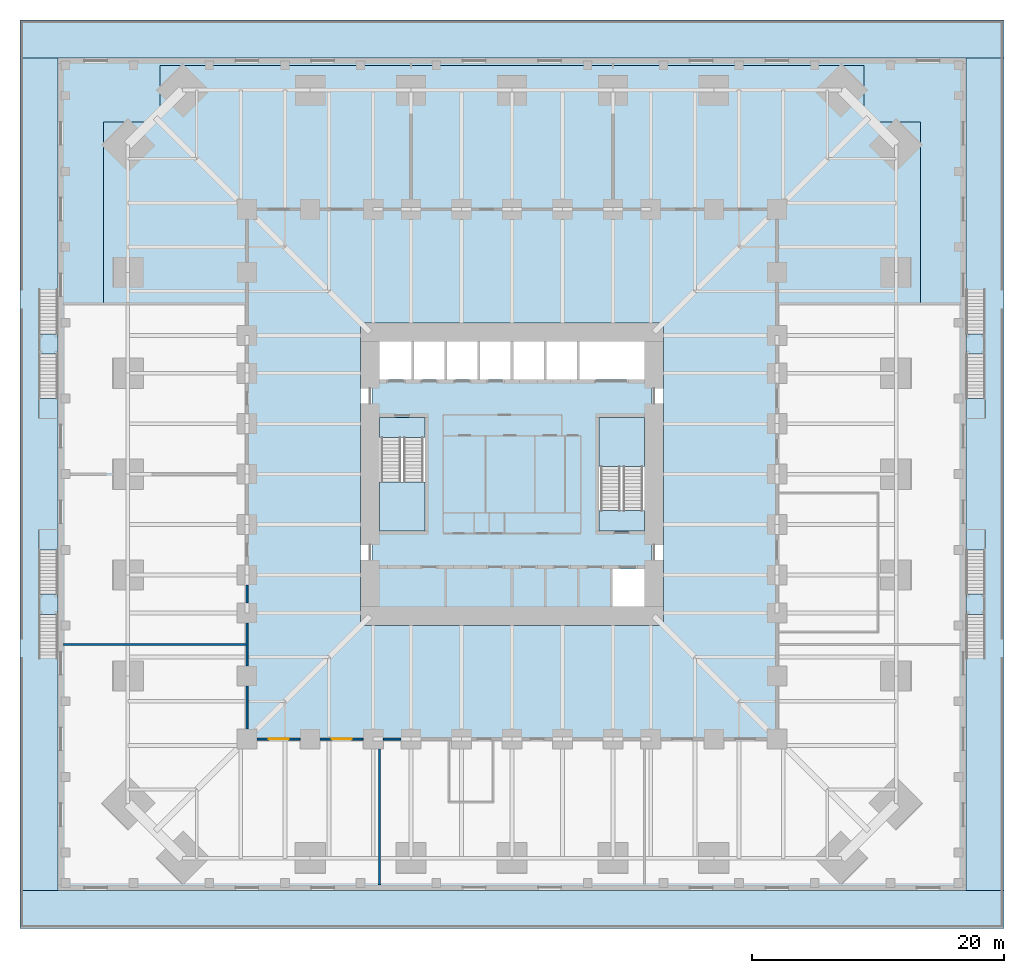
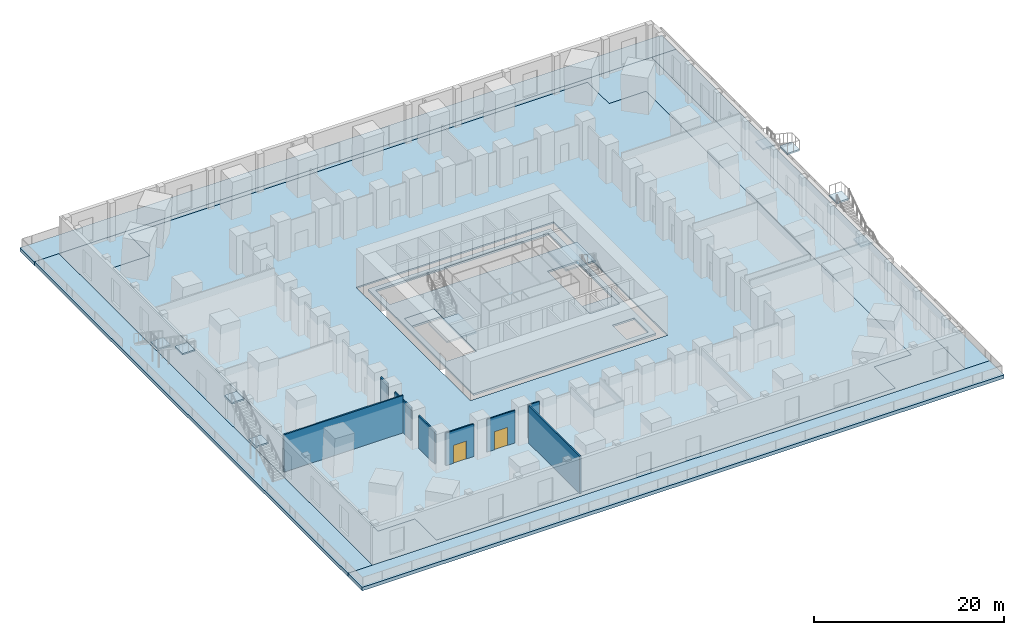
# One storey, part 9 of 20: 19 slabs, 8 walls, 2 doors, 2 openings, 6 elements without a shape of their own.
"""IFC4 building model written with IfcOpenShell, lengths in metres."""

from ifc_helpers import new_model, si_unit, direction, frame, frame_2d, origin, place, context, subcontext, project, spatial, polyline, rectangle, outline, extrude, boolean, material, layer, layer_set, type_object, element, fill, aggregate, save


model = new_model("IFC4")

# Units and contexts
model_context = context("Model", 3, precision=1e-05, world=origin(), true_north=direction((0.0, 1.0)))
body_context = subcontext(model_context, "Body", "Model", "MODEL_VIEW")
ifc_project = project(units=[si_unit("LENGTHUNIT", "METRE"), si_unit("AREAUNIT", "SQUARE_METRE"), si_unit("VOLUMEUNIT", "CUBIC_METRE"), si_unit("PLANEANGLEUNIT", "RADIAN"), si_unit("MASSUNIT", "GRAM", prefix="KILO")], contexts=[model_context])

# Site, building, storey
site_placement = place(None, origin())
site = spatial("IfcSite", under=ifc_project, at=site_placement, CompositionType="ELEMENT")
building_placement = place(site_placement, origin())
building = spatial("IfcBuilding", under=site, at=building_placement, Name="Peilmerk Tower", CompositionType="ELEMENT")
storey_placement = place(building_placement, frame((0.0, 0.0, 11.0)))
storey = spatial("IfcBuildingStorey", under=building, at=storey_placement, Name="L02", CompositionType="ELEMENT", Elevation=11.0)

# Slabs
ifc_material_1 = material(Name="Concrete C55/67", Category="concrete")
ifc_layer_1 = layer(ifc_material_1, 0.25)
ifc_layer_set_1 = layer_set([ifc_layer_1], Name="Concrete C55/67")
slab_type_1 = type_object("IfcSlabType", Name="CS250 250 core floor slab", PredefinedType="FLOOR", material=ifc_layer_set_1)
slab_1_placement = place(storey_placement, frame((0.0, 0.0, -0.25)))
element("IfcSlab", 1, at=slab_1_placement, inside=storey, type_object=slab_type_1, Name="Core slab L02", PredefinedType="FLOOR", context=body_context, shape_type="SweptSolid", body=[
    extrude(outline(polyline([(-11.10009765625, 11.10009765625), (-11.10009765625, -11.10009765625), (11.10009765625, -11.10009765625), (11.10009765625, 11.10009765625), (-11.10009765625, 11.10009765625)]), holes=[polyline([(10.5, 7.5), (-10.5, 7.5), (-10.5, 10.5), (10.5, 10.5), (10.5, 7.5)]), polyline([(7.875, -10.5), (7.875, -7.5), (10.5, -7.5), (10.5, -10.5), (7.875, -10.5)]), polyline([(-10.5, 4.5), (-6.89990234375, 4.5), (-6.89990234375, -4.5), (-10.5, -4.5), (-10.5, 4.5)]), polyline([(10.5, 4.5), (10.5, -4.5), (6.89990234375, -4.5), (6.89990234375, 4.5), (10.5, 4.5)])]), origin(), (0.0, 0.0, 1.0), 0.25),
])
ifc_material_2 = material(Name="Concrete C35/45", Category="concrete")
ifc_layer_2 = layer(ifc_material_2, 0.199951171875)
ifc_layer_set_2 = layer_set([ifc_layer_2], Name="Concrete C35/45")
slab_type_2 = type_object("IfcSlabType", Name="FS200 200 composite floor slab", PredefinedType="FLOOR", material=ifc_layer_set_2)
slab_2_placement = place(storey_placement, frame((0.0, 0.0, -0.199951171875)))
element("IfcSlab", 2, at=slab_2_placement, inside=storey, type_object=slab_type_2, Name="Floor slab L02", PredefinedType="FLOOR", context=body_context, shape_type="SweptSolid", body=[
    extrude(outline(polyline([(-27.89990234375, -32.39990234375), (27.89990234375, -32.39990234375), (27.89990234375, -27.89990234375), (32.39990234375, -27.89990234375), (32.39990234375, 27.89990234375), (27.89990234375, 27.89990234375), (27.89990234375, 32.39990234375), (-27.89990234375, 32.39990234375), (-27.89990234375, 27.89990234375), (-32.39990234375, 27.89990234375), (-32.39990234375, -27.89990234375), (-27.89990234375, -27.89990234375), (-27.89990234375, -32.39990234375)]), holes=[polyline([(12.0, 12.0), (12.0, -12.0), (-12.0, -12.0), (-12.0, 12.0), (12.0, 12.0)])]), origin(), (0.0, 0.0, 1.0), 0.199951171875),
])
ifc_layer_3 = layer(ifc_material_2, 0.449951171875)
ifc_layer_set_3 = layer_set([ifc_layer_3], Name="Concrete C35/45")
slab_type_3 = type_object("IfcSlabType", Name="PS450 450 podium flat slab", PredefinedType="FLOOR", material=ifc_layer_set_3)
slab_3_placement = place(storey_placement, frame((0.0, 0.0, -0.449951171875)))
element("IfcSlab", 3, at=slab_3_placement, inside=storey, type_object=slab_type_3, Name="Podium slab L02", PredefinedType="FLOOR", context=body_context, shape_type="CSG", body=[
    boolean("DIFFERENCE", boolean("DIFFERENCE", boolean("DIFFERENCE", boolean("DIFFERENCE", extrude(outline(polyline([(-36.0, 33.0), (-36.0, -33.0), (36.0, -33.0), (36.0, 33.0), (-36.0, 33.0)]), holes=[polyline([(27.89990234375, -27.89990234375), (27.89990234375, -32.39990234375), (-27.89990234375, -32.39990234375), (-27.89990234375, -27.89990234375), (-32.39990234375, -27.89990234375), (-32.39990234375, 27.89990234375), (-27.89990234375, 27.89990234375), (-27.89990234375, 32.39990234375), (27.89990234375, 32.39990234375), (27.89990234375, 27.89990234375), (32.39990234375, 27.89990234375), (32.39990234375, -27.89990234375), (27.89990234375, -27.89990234375)])]), origin(), (0.0, 0.0, 1.0), 0.449951171875), extrude(outline(polyline([(28.0908203125, 27.89990234375), (27.89990234375, 28.0908203125), (27.89990234375, 29.22216796875), (29.22216796875, 27.89990234375), (28.0908203125, 27.89990234375)])), frame((0.0, 0.0, -0.010009765625)), (0.0, 0.0, 1.0), 0.260009765625)), extrude(outline(polyline([(29.22216796875, -27.89990234375), (27.89990234375, -29.22216796875), (27.89990234375, -28.0908203125), (28.0908203125, -27.89990234375), (29.22216796875, -27.89990234375)])), frame((0.0, 0.0, -0.010009765625)), (0.0, 0.0, 1.0), 0.260009765625)), extrude(outline(polyline([(-28.0908203125, -27.89990234375), (-27.89990234375, -28.0908203125), (-27.89990234375, -29.22216796875), (-29.22216796875, -27.89990234375), (-28.0908203125, -27.89990234375)])), frame((0.0, 0.0, -0.010009765625)), (0.0, 0.0, 1.0), 0.260009765625)), extrude(outline(polyline([(-27.89990234375, 28.0908203125), (-28.0908203125, 27.89990234375), (-29.22216796875, 27.89990234375), (-27.89990234375, 29.22216796875), (-27.89990234375, 28.0908203125)])), frame((0.0, 0.0, -0.010009765625)), (0.0, 0.0, 1.0), 0.260009765625)),
])

# Stair, slab
ifc_material_3 = material(Name="Precast concrete C45/55", Category="concrete")
stair_type_1 = type_object("IfcStairType", Name="ST1 28 risers of 178.6", PredefinedType="HALF_TURN_STAIR", material=ifc_material_3)
stair_1_placement = place(storey_placement, origin())
stair_1 = element("IfcStair", 4, at=stair_1_placement, inside=storey, type_object=stair_type_1, Name="Stair 1 L02 to L03", PredefinedType="HALF_TURN_STAIR")
ifc_layer_4 = layer(ifc_material_2, 0.199951171875)
ifc_layer_set_4 = layer_set([ifc_layer_4], Name="Concrete C35/45")
slab_type_4 = type_object("IfcSlabType", Name="SL1 200 concrete stair landing", PredefinedType="LANDING", material=ifc_layer_set_4)
slab_4_placement = place(storey_placement, frame((0.0, 0.0, 2.300048828125)))
slab_4 = element("IfcSlab", 5, at=slab_4_placement, type_object=slab_type_4, Name="ST1 landing 1", PredefinedType="LANDING", context=body_context, shape_type="SweptSolid", body=[
    extrude(outline(polyline([(-10.5, -4.5), (-6.89990234375, -4.5), (-6.89990234375, -0.610107421875), (-10.5, -0.610107421875), (-10.5, -4.5)])), origin(), (0.0, 0.0, 1.0), 0.199951171875),
])

stair_type_2 = type_object("IfcStairType", Name="ST2 28 risers of 178.6", PredefinedType="HALF_TURN_STAIR", material=ifc_material_3)
stair_2_placement = place(storey_placement, origin())
stair_2 = element("IfcStair", 6, at=stair_2_placement, inside=storey, type_object=stair_type_2, Name="Stair 2 L02 to L03", PredefinedType="HALF_TURN_STAIR")
slab_5_placement = place(storey_placement, frame((0.0, 0.0, 2.300048828125)))
slab_5 = element("IfcSlab", 7, at=slab_5_placement, type_object=slab_type_4, Name="ST2 landing 1", PredefinedType="LANDING", context=body_context, shape_type="SweptSolid", body=[
    extrude(outline(polyline([(6.89990234375, 0.610107421875), (10.5, 0.610107421875), (10.5, 4.5), (6.89990234375, 4.5), (6.89990234375, 0.610107421875)])), origin(), (0.0, 0.0, 1.0), 0.199951171875),
])

# Stair, slabs
stair_type_3 = type_object("IfcStairType", Name="ST3 28 risers of 178.6, two straight flights", PredefinedType="TWO_STRAIGHT_RUN_STAIR", material=ifc_material_3)
stair_3_placement = place(storey_placement, origin())
stair_3 = element("IfcStair", 8, at=stair_3_placement, inside=storey, type_object=stair_type_3, Name="External stair 3 L02 to L03", PredefinedType="TWO_STRAIGHT_RUN_STAIR")
slab_6_placement = place(storey_placement, frame((0.0, 0.0, 2.300048828125)))
slab_6 = element("IfcSlab", 9, at=slab_6_placement, type_object=slab_type_4, Name="ST3 landing 1", PredefinedType="LANDING", context=body_context, shape_type="SweptSolid", body=[
    extrude(outline(polyline([(36.0, 9.510009765625), (37.5, 9.510009765625), (37.5, 11.110107421875), (36.0, 11.110107421875), (36.0, 9.510009765625)])), origin(), (0.0, 0.0, 1.0), 0.199951171875),
])
slab_7_placement = place(storey_placement, frame((0.0, 0.0, 4.800048828125)))
slab_7 = element("IfcSlab", 10, at=slab_7_placement, type_object=slab_type_4, Name="ST3 landing 2", PredefinedType="LANDING", context=body_context, shape_type="SweptSolid", body=[
    extrude(outline(polyline([(36.0, 4.39990234375), (37.5, 4.39990234375), (37.5, 6.0), (36.0, 6.0), (36.0, 4.39990234375)])), origin(), (0.0, 0.0, 1.0), 0.199951171875),
])
aggregate(stair_3, [slab_6, slab_7])

stair_type_4 = type_object("IfcStairType", Name="ST4 28 risers of 178.6, two straight flights", PredefinedType="TWO_STRAIGHT_RUN_STAIR", material=ifc_material_3)
stair_4_placement = place(storey_placement, origin())
stair_4 = element("IfcStair", 11, at=stair_4_placement, inside=storey, type_object=stair_type_4, Name="External stair 4 L02 to L03", PredefinedType="TWO_STRAIGHT_RUN_STAIR")
slab_8_placement = place(storey_placement, frame((0.0, 0.0, 2.300048828125)))
slab_8 = element("IfcSlab", 12, at=slab_8_placement, type_object=slab_type_4, Name="ST4 landing 1", PredefinedType="LANDING", context=body_context, shape_type="SweptSolid", body=[
    extrude(outline(polyline([(36.0, -11.110107421875), (37.5, -11.110107421875), (37.5, -9.510009765625), (36.0, -9.510009765625), (36.0, -11.110107421875)])), origin(), (0.0, 0.0, 1.0), 0.199951171875),
])
slab_9_placement = place(storey_placement, frame((0.0, 0.0, 4.800048828125)))
slab_9 = element("IfcSlab", 13, at=slab_9_placement, type_object=slab_type_4, Name="ST4 landing 2", PredefinedType="LANDING", context=body_context, shape_type="SweptSolid", body=[
    extrude(outline(polyline([(36.0, -6.0), (37.5, -6.0), (37.5, -4.39990234375), (36.0, -4.39990234375), (36.0, -6.0)])), origin(), (0.0, 0.0, 1.0), 0.199951171875),
])
aggregate(stair_4, [slab_8, slab_9])

stair_type_5 = type_object("IfcStairType", Name="ST5 28 risers of 178.6, two straight flights", PredefinedType="TWO_STRAIGHT_RUN_STAIR", material=ifc_material_3)
stair_5_placement = place(storey_placement, origin())
stair_5 = element("IfcStair", 14, at=stair_5_placement, inside=storey, type_object=stair_type_5, Name="External stair 5 L02 to L03", PredefinedType="TWO_STRAIGHT_RUN_STAIR")
slab_10_placement = place(storey_placement, frame((0.0, 0.0, 2.300048828125)))
slab_10 = element("IfcSlab", 15, at=slab_10_placement, type_object=slab_type_4, Name="ST5 landing 1", PredefinedType="LANDING", context=body_context, shape_type="SweptSolid", body=[
    extrude(outline(polyline([(-37.5, 9.510009765625), (-36.0, 9.510009765625), (-36.0, 11.110107421875), (-37.5, 11.110107421875), (-37.5, 9.510009765625)])), origin(), (0.0, 0.0, 1.0), 0.199951171875),
])
slab_11_placement = place(storey_placement, frame((0.0, 0.0, 4.800048828125)))
slab_11 = element("IfcSlab", 16, at=slab_11_placement, type_object=slab_type_4, Name="ST5 landing 2", PredefinedType="LANDING", context=body_context, shape_type="SweptSolid", body=[
    extrude(outline(polyline([(-37.5, 4.39990234375), (-36.0, 4.39990234375), (-36.0, 6.0), (-37.5, 6.0), (-37.5, 4.39990234375)])), origin(), (0.0, 0.0, 1.0), 0.199951171875),
])
aggregate(stair_5, [slab_10, slab_11])

stair_type_6 = type_object("IfcStairType", Name="ST6 28 risers of 178.6, two straight flights", PredefinedType="TWO_STRAIGHT_RUN_STAIR", material=ifc_material_3)
stair_6_placement = place(storey_placement, origin())
stair_6 = element("IfcStair", 17, at=stair_6_placement, inside=storey, type_object=stair_type_6, Name="External stair 6 L02 to L03", PredefinedType="TWO_STRAIGHT_RUN_STAIR")
slab_12_placement = place(storey_placement, frame((0.0, 0.0, 2.300048828125)))
slab_12 = element("IfcSlab", 18, at=slab_12_placement, type_object=slab_type_4, Name="ST6 landing 1", PredefinedType="LANDING", context=body_context, shape_type="SweptSolid", body=[
    extrude(outline(polyline([(-37.5, -11.110107421875), (-36.0, -11.110107421875), (-36.0, -9.510009765625), (-37.5, -9.510009765625), (-37.5, -11.110107421875)])), origin(), (0.0, 0.0, 1.0), 0.199951171875),
])
slab_13_placement = place(storey_placement, frame((0.0, 0.0, 4.800048828125)))
slab_13 = element("IfcSlab", 19, at=slab_13_placement, type_object=slab_type_4, Name="ST6 landing 2", PredefinedType="LANDING", context=body_context, shape_type="SweptSolid", body=[
    extrude(outline(polyline([(-37.5, -6.0), (-36.0, -6.0), (-36.0, -4.39990234375), (-37.5, -4.39990234375), (-37.5, -6.0)])), origin(), (0.0, 0.0, 1.0), 0.199951171875),
])
aggregate(stair_6, [slab_12, slab_13])

# Slab
ifc_layer_5 = layer(ifc_material_2, 0.25)
ifc_layer_set_5 = layer_set([ifc_layer_5], Name="Concrete C35/45")
slab_type_5 = type_object("IfcSlabType", Name="SL2 250 concrete floor landing", PredefinedType="LANDING", material=ifc_layer_set_5)
slab_14_placement = place(storey_placement, frame((0.0, 0.0, -0.25)))
slab_14 = element("IfcSlab", 20, at=slab_14_placement, type_object=slab_type_5, Name="ST1 floor landing", PredefinedType="LANDING", context=body_context, shape_type="SweptSolid", body=[
    extrude(outline(polyline([(-10.5, 2.89990234375), (-6.89990234375, 2.89990234375), (-6.89990234375, 4.5), (-10.5, 4.5), (-10.5, 2.89990234375)])), origin(), (0.0, 0.0, 1.0), 0.25),
])

aggregate(stair_1, [slab_4, slab_14])

slab_15_placement = place(storey_placement, frame((0.0, 0.0, -0.25)))
slab_15 = element("IfcSlab", 21, at=slab_15_placement, type_object=slab_type_5, Name="ST2 floor landing", PredefinedType="LANDING", context=body_context, shape_type="SweptSolid", body=[
    extrude(outline(polyline([(6.89990234375, -4.5), (10.5, -4.5), (10.5, -2.89990234375), (6.89990234375, -2.89990234375), (6.89990234375, -4.5)])), origin(), (0.0, 0.0, 1.0), 0.25),
])

aggregate(stair_2, [slab_5, slab_15])

# Slabs
ifc_layer_6 = layer(ifc_material_2, 0.449951171875)
ifc_layer_set_6 = layer_set([ifc_layer_6], Name="Concrete C35/45")
slab_type_6 = type_object("IfcSlabType", Name="TS450 450 terrace roof slab", PredefinedType="ROOF", material=ifc_layer_set_6)
slab_16_placement = place(storey_placement, frame((0.0, 0.0, -0.449951171875)))
element("IfcSlab", 22, at=slab_16_placement, inside=storey, type_object=slab_type_6, Name="Terrace slab L02 N", PredefinedType="ROOF", context=body_context, shape_type="SweptSolid", body=[
    extrude(outline(polyline([(39.0, 36.0), (-39.0, 36.0), (-39.0, 33.0), (39.0, 33.0), (39.0, 36.0)])), origin(), (0.0, 0.0, 1.0), 0.449951171875),
])
slab_17_placement = place(storey_placement, frame((0.0, 0.0, -0.449951171875)))
element("IfcSlab", 23, at=slab_17_placement, inside=storey, type_object=slab_type_6, Name="Terrace slab L02 S", PredefinedType="ROOF", context=body_context, shape_type="SweptSolid", body=[
    extrude(outline(polyline([(39.0, -36.0), (39.0, -33.0), (-39.0, -33.0), (-39.0, -36.0), (39.0, -36.0)])), origin(), (0.0, 0.0, 1.0), 0.449951171875),
])
slab_18_placement = place(storey_placement, frame((0.0, 0.0, -0.449951171875)))
element("IfcSlab", 24, at=slab_18_placement, inside=storey, type_object=slab_type_6, Name="Terrace slab L02 E", PredefinedType="ROOF", context=body_context, shape_type="SweptSolid", body=[
    extrude(outline(polyline([(39.0, -33.0), (39.0, 33.0), (36.0, 33.0), (36.0, -33.0), (39.0, -33.0)])), origin(), (0.0, 0.0, 1.0), 0.449951171875),
])
slab_19_placement = place(storey_placement, frame((0.0, 0.0, -0.449951171875)))
element("IfcSlab", 25, at=slab_19_placement, inside=storey, type_object=slab_type_6, Name="Terrace slab L02 W", PredefinedType="ROOF", context=body_context, shape_type="SweptSolid", body=[
    extrude(outline(polyline([(-39.0, 33.0), (-39.0, -33.0), (-36.0, -33.0), (-36.0, 33.0), (-39.0, 33.0)])), origin(), (0.0, 0.0, 1.0), 0.449951171875),
])

# Wall
ifc_material_4 = material(Name="Calcium silicate block", Category="masonry")
ifc_layer_7 = layer(ifc_material_4, 0.14990234375)
ifc_layer_set_7 = layer_set([ifc_layer_7], Name="Calcium silicate block")
wall_type_1 = type_object("IfcWallType", Name="IW1 150 corridor partition, EI 60", PredefinedType="PARTITIONING", material=ifc_layer_set_7)
wall_1_placement = place(storey_placement, frame((-8.800048828125, -21.0, 0.0), z_axis=(0.0, 0.0, 1.0), x_axis=(-1.0, 0.0, 0.0)))
element("IfcWall", 26, at=wall_1_placement, inside=storey, type_object=wall_type_1, Name="Corridor wall Sh L02", PredefinedType="PARTITIONING", context=body_context, shape_type="SweptSolid", body=[
    extrude(rectangle(XDim=1.39990234375, YDim=0.14990234375, at=frame_2d((0.699951171875, 0.0))), origin(), (0.0, 0.0, 1.0), 4.27587890625),
])

# Wall, opening, door
wall_2_placement = place(storey_placement, frame((-11.800048828125, -21.0, 0.0), z_axis=(0.0, 0.0, 1.0), x_axis=(-1.0, 0.0, 0.0)))
wall_2 = element("IfcWall", 27, at=wall_2_placement, inside=storey, type_object=wall_type_1, Name="Corridor wall Si L02", PredefinedType="PARTITIONING", context=body_context, shape_type="SweptSolid", body=[
    extrude(rectangle(XDim=3.39990234375, YDim=0.14990234375, at=frame_2d((1.699951171875, 0.0))), origin(), (0.0, 0.0, 1.0), 4.179931640625),
])
opening_1_placement = place(wall_2_placement, frame((0.89990234375, 0.0, 0.0)))
opening_1 = element("IfcOpeningElement", 28, at=opening_1_placement, cuts=wall_2, Name="Opening D9", PredefinedType="OPENING", context=body_context, shape_type="SweptSolid", body=[
    extrude(rectangle(XDim=1.60009765625, YDim=2.300048828125, at=frame_2d((0.800048828125, 1.14990234375))), frame((0.0, 0.0849609375, 0.0), z_axis=(0.0, -1.0, 0.0), x_axis=(1.0, 0.0, 0.0)), (0.0, 0.0, 1.0), 0.169921875),
])
ifc_material_5 = material(Name="Glazed timber door in steel frame", Category="steel")
door_type = type_object("IfcDoorType", Name="D9 1600x2300 glazed double door, EI2 30", OperationType="DOUBLE_DOOR_SINGLE_SWING", PredefinedType="DOOR", material=ifc_material_5)
door_1_placement = place(opening_1_placement, origin())
door_1 = element("IfcDoor", 29, at=door_1_placement, inside=storey, type_object=door_type, Name="Door Open workspace L02", OperationType="DOUBLE_DOOR_SINGLE_SWING", OverallHeight=2.300048828125, OverallWidth=1.60009765625, PredefinedType="DOOR", context=body_context, shape_type="SweptSolid", body=[
    extrude(rectangle(XDim=1.60009765625, YDim=2.300048828125, at=frame_2d((0.800048828125, 1.14990234375))), frame((0.0, 0.02490234375, 0.0), z_axis=(0.0, -1.0, 0.0), x_axis=(1.0, 0.0, 0.0)), (0.0, 0.0, 1.0), 0.050048828125),
])
fill(opening_1, door_1)

wall_3_placement = place(storey_placement, frame((-16.800048828125, -21.0, 0.0), z_axis=(0.0, 0.0, 1.0), x_axis=(-1.0, 0.0, 0.0)))
wall_3 = element("IfcWall", 30, at=wall_3_placement, inside=storey, type_object=wall_type_1, Name="Corridor wall Sj L02", PredefinedType="PARTITIONING", context=body_context, shape_type="SweptSolid", body=[
    extrude(rectangle(XDim=3.39990234375, YDim=0.14990234375, at=frame_2d((1.699951171875, 0.0))), origin(), (0.0, 0.0, 1.0), 4.179931640625),
])
opening_2_placement = place(wall_3_placement, frame((0.89990234375, 0.0, 0.0)))
opening_2 = element("IfcOpeningElement", 31, at=opening_2_placement, cuts=wall_3, Name="Opening D9", PredefinedType="OPENING", context=body_context, shape_type="SweptSolid", body=[
    extrude(rectangle(XDim=1.60009765625, YDim=2.300048828125, at=frame_2d((0.800048828125, 1.14990234375))), frame((0.0, 0.0849609375, 0.0), z_axis=(0.0, -1.0, 0.0), x_axis=(1.0, 0.0, 0.0)), (0.0, 0.0, 1.0), 0.169921875),
])
door_2_placement = place(opening_2_placement, origin())
door_2 = element("IfcDoor", 32, at=door_2_placement, inside=storey, type_object=door_type, Name="Door Open workspace L02", OperationType="DOUBLE_DOOR_SINGLE_SWING", OverallHeight=2.300048828125, OverallWidth=1.60009765625, PredefinedType="DOOR", context=body_context, shape_type="SweptSolid", body=[
    extrude(rectangle(XDim=1.60009765625, YDim=2.300048828125, at=frame_2d((0.800048828125, 1.14990234375))), frame((0.0, 0.02490234375, 0.0), z_axis=(0.0, -1.0, 0.0), x_axis=(1.0, 0.0, 0.0)), (0.0, 0.0, 1.0), 0.050048828125),
])
fill(opening_2, door_2)

# Walls
wall_4_placement = place(storey_placement, frame((-21.0, -8.800048828125, 0.0), z_axis=(0.0, 0.0, 1.0), x_axis=(0.0, -1.0, 0.0)))
element("IfcWall", 33, at=wall_4_placement, inside=storey, type_object=wall_type_1, Name="Corridor wall Wh L02", PredefinedType="PARTITIONING", context=body_context, shape_type="SweptSolid", body=[
    extrude(rectangle(XDim=1.39990234375, YDim=0.14990234375, at=frame_2d((0.699951171875, 0.0))), origin(), (0.0, 0.0, 1.0), 4.27587890625),
])
for number, where, z_axis, x_axis, name in (
    (34, (-21.0, -11.800048828125, 0.0), (0.0, 0.0, 1.0), (0.0, -1.0, 0.0), "Corridor wall Wi L02"),
    (35, (-21.0, -16.800048828125, 0.0), (0.0, 0.0, 1.0), (0.0, -1.0, 0.0), "Corridor wall Wj L02"),
):
    element("IfcWall", number, at=place(storey_placement, frame(where, z_axis=z_axis, x_axis=x_axis)), inside=storey, type_object=wall_type_1, Name=name, PredefinedType="PARTITIONING", context=body_context, shape_type="SweptSolid", body=[
        extrude(rectangle(XDim=3.39990234375, YDim=0.14990234375, at=frame_2d((1.699951171875, 0.0))), origin(), (0.0, 0.0, 1.0), 4.179931640625),
    ])
ifc_layer_8 = layer(ifc_material_4, 0.175048828125)
ifc_layer_set_8 = layer_set([ifc_layer_8], Name="Calcium silicate block")
wall_type_2 = type_object("IfcWallType", Name="IW8 175 tenant separating wall, EI 60", PredefinedType="PARTITIONING", material=ifc_layer_set_8)
wall_5_placement = place(storey_placement, frame((-21.074951171875, -13.5, 0.0), z_axis=(0.0, 0.0, 1.0), x_axis=(-1.0, 0.0, 0.0)))
element("IfcWall", 36, at=wall_5_placement, inside=storey, type_object=wall_type_2, Name="Tenant separating wall SW L02", PredefinedType="PARTITIONING", context=body_context, shape_type="SweptSolid", body=[
    extrude(rectangle(XDim=14.47509765625, YDim=0.175048828125, at=frame_2d((7.237548828125, 0.0))), origin(), (0.0, 0.0, 1.0), 4.800048828125),
])
wall_6_placement = place(storey_placement, frame((-10.5, -21.800048828125, 0.0), z_axis=(0.0, 0.0, 1.0), x_axis=(0.0, -1.0, 0.0)))
element("IfcWall", 37, at=wall_6_placement, inside=storey, type_object=wall_type_2, Name="Tenant separating wall S1 L02", PredefinedType="PARTITIONING", context=body_context, shape_type="SweptSolid", body=[
    extrude(rectangle(XDim=10.75, YDim=0.175048828125, at=frame_2d((5.375, 0.0))), origin(), (0.0, 0.0, 1.0), 4.800048828125),
])

save(model, "model.ifc")
